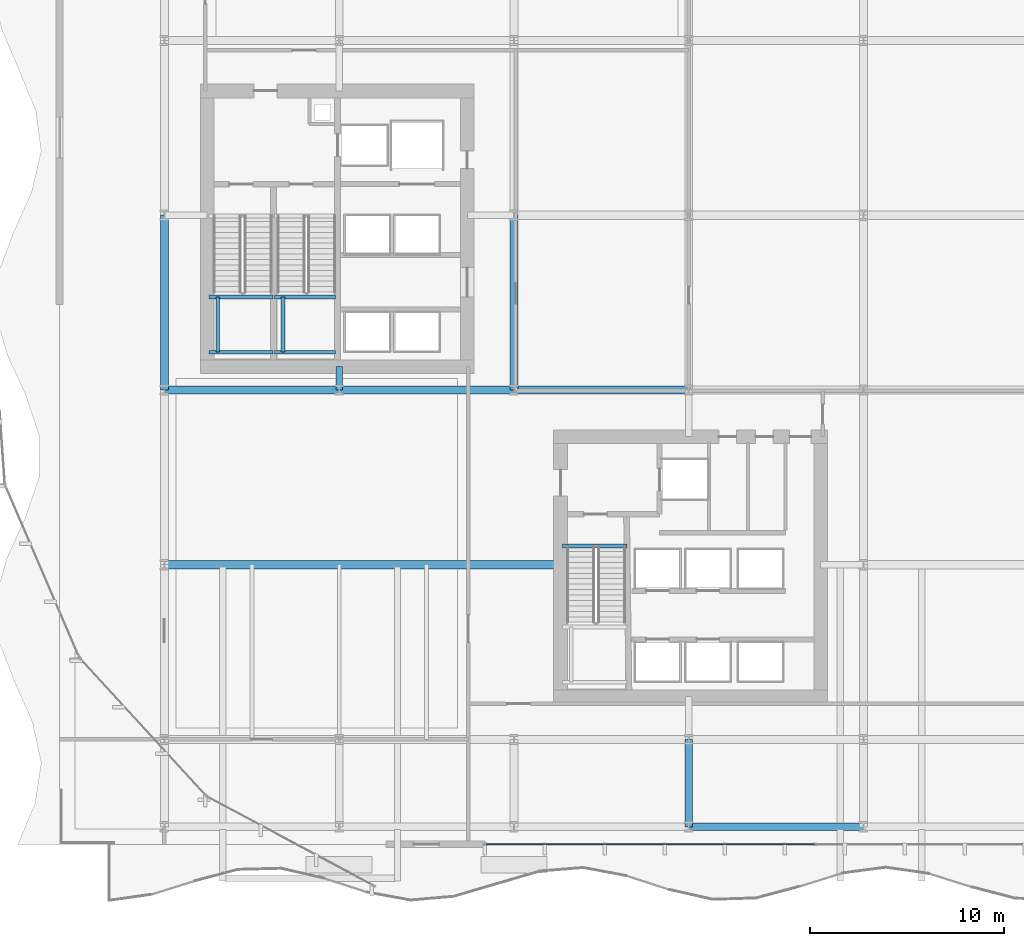
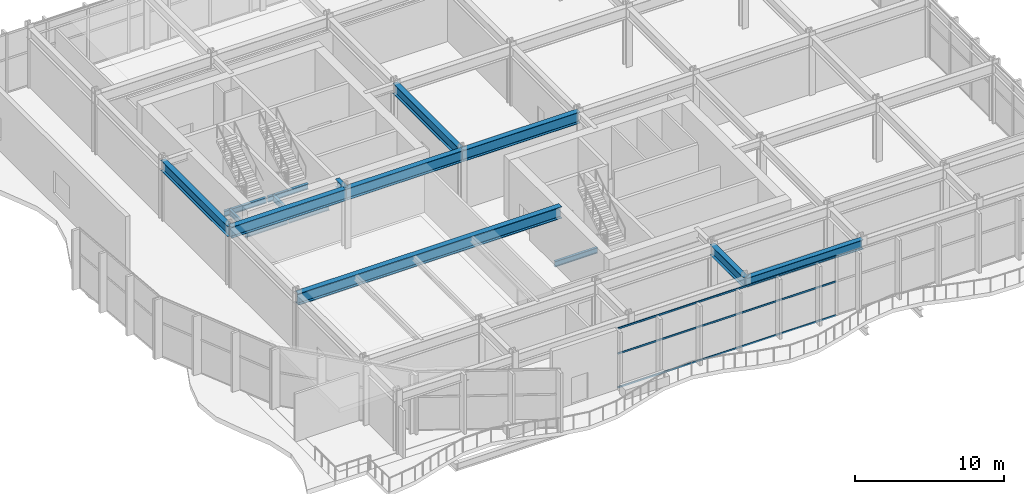
# One storey, part 6 of 31: 16 beams, 3 members, 1 element without a shape of its own.
"""IFC4 building model written with IfcOpenShell, lengths in metres."""

import ifcopenshell
import ifcopenshell.guid

model = None  # the IFC model being written
_history = None  # IfcOwnerHistory: only IFC2X3 demands one
_inside = {}  # id of a spatial element -> (the spatial element, [elements in it])
_under = {}  # id of a project, library or spatial element -> (it, [spatial elements below it])
_declared = {}  # id of a project -> (the project, [libraries it declares])
_typed = {}  # id of a type object -> (the type object, [elements of that type])
_made_of = {}  # id of a material, layer set ... -> (it, [elements and type objects made of it])


def new_model(schema):
    """Start an empty IFC model of exactly this schema.

    Asked for "IFC4X3", IfcOpenShell would pick the latest addendum, in which some entities
    have other attributes; the version numbers below select the first issue.
    IFC2X3 requires an IfcOwnerHistory on every rooted entity: one is made here for all.
    """
    global model, _history
    if schema == "IFC4X3":
        model = ifcopenshell.file(schema_version=(4, 3, 0, 0))
    else:
        model = ifcopenshell.file(schema=schema)
    _inside.clear()
    _under.clear()
    _declared.clear()
    _typed.clear()
    _made_of.clear()
    _history = None
    if model.schema == "IFC2X3":
        org = make("IfcOrganization", Name="unknown")
        user = make(
            "IfcPersonAndOrganization",
            ThePerson=make("IfcPerson", FamilyName="unknown"),
            TheOrganization=org,
        )
        app = make(
            "IfcApplication",
            ApplicationDeveloper=org,
            Version="unknown",
            ApplicationFullName="unknown",
            ApplicationIdentifier="unknown",
        )
        _history = make(
            "IfcOwnerHistory",
            OwningUser=user,
            OwningApplication=app,
            ChangeAction="ADDED",
            CreationDate=0,
        )
    return model


def make(cls, **values):
    """One entity of the class cls with the attributes given. An attribute that is None is left unset."""
    return model.create_entity(
        cls, **{name: value for name, value in values.items() if value is not None}
    )


def rooted(cls, **values):
    """An entity with a GlobalId (a new one), such as an element, a storey or a relation."""
    return make(cls, GlobalId=ifcopenshell.guid.new(), OwnerHistory=_history, **values)


def si_unit(unit_type, name, prefix=None):
    """IfcSIUnit, for example si_unit("LENGTHUNIT", "METRE", prefix="MILLI")."""
    return make("IfcSIUnit", UnitType=unit_type, Prefix=prefix, Name=name)


def assignment(units):
    """IfcUnitAssignment: the units of a project."""
    return None if units is None else make("IfcUnitAssignment", Units=units)


def point(xyz):
    """IfcCartesianPoint."""
    return None if xyz is None else make("IfcCartesianPoint", Coordinates=xyz)


def direction(xyz):
    """IfcDirection."""
    return None if xyz is None else make("IfcDirection", DirectionRatios=xyz)


def frame(location, z_axis=None, x_axis=None):
    """IfcAxis2Placement3D, a coordinate frame: its origin and axes. An axis left out is left unset."""
    return make(
        "IfcAxis2Placement3D",
        Location=point(location),
        Axis=direction(z_axis),
        RefDirection=direction(x_axis),
    )


def frame_2d(location, x_axis=None):
    """IfcAxis2Placement2D, a coordinate frame in the plane: its origin and x axis."""
    return make(
        "IfcAxis2Placement2D", Location=point(location), RefDirection=direction(x_axis)
    )


def origin():
    """The frame at (0, 0, 0) with its axes left unset."""
    return frame((0.0, 0.0, 0.0))


def origin_2d():
    """The frame at (0, 0) in the plane with its x axis left unset."""
    return frame_2d((0.0, 0.0))


def place(relative_to, where):
    """IfcLocalPlacement: puts the frame where relative to a parent placement (None: the world)."""
    return make(
        "IfcLocalPlacement", PlacementRelTo=relative_to, RelativePlacement=where
    )


def context(
    kind, dimensions, precision=None, world=None, true_north=None, identifier=None
):
    """IfcGeometricRepresentationContext, for example the 3D "Model" context."""
    return make(
        "IfcGeometricRepresentationContext",
        ContextIdentifier=identifier,
        ContextType=kind,
        CoordinateSpaceDimension=dimensions,
        Precision=precision,
        WorldCoordinateSystem=world,
        TrueNorth=true_north,
    )


def subcontext(parent, identifier, kind, view, scale=None):
    """IfcGeometricRepresentationSubContext, for example "Body" below "Model"."""
    return make(
        "IfcGeometricRepresentationSubContext",
        ContextIdentifier=identifier,
        ContextType=kind,
        ParentContext=parent,
        TargetScale=scale,
        TargetView=view,
    )


def project(units=None, contexts=None):
    """IfcProject with its units and contexts."""
    return rooted(
        "IfcProject",
        Name="project",
        RepresentationContexts=contexts,
        UnitsInContext=assignment(units),
    )


def spatial(cls, under=None, at=None, **own):
    """A site, building, storey or space (cls), placed at a placement, below another one or the project."""
    s = rooted(cls, ObjectPlacement=at, **own)
    if under is not None:
        _under.setdefault(under.id(), (under, []))[1].append(s)
    return s


def profile(cls, at=None, kind="AREA", **sizes):
    """A parametric profile (cls). Its sizes go by their IFC names, for example OverallWidth=200.0."""
    return make(cls, ProfileType=kind, Position=at, **sizes)


def hollow_rectangle(**sizes):
    """IfcRectangleHollowProfileDef."""
    return profile("IfcRectangleHollowProfileDef", **sizes)


def i_section(**sizes):
    """IfcIShapeProfileDef."""
    return profile("IfcIShapeProfileDef", **sizes)


def extrude(swept, where, along, depth):
    """IfcExtrudedAreaSolid: the profile swept, set in the frame where, extruded along a direction by depth."""
    return make(
        "IfcExtrudedAreaSolid",
        SweptArea=swept,
        Position=where,
        ExtrudedDirection=direction(along),
        Depth=depth,
    )


def shape(context_of_items, identifier, shape_type, items):
    """IfcShapeRepresentation: the items that make up one representation, for example the "Body"."""
    return make(
        "IfcShapeRepresentation",
        ContextOfItems=context_of_items,
        RepresentationIdentifier=identifier,
        RepresentationType=shape_type,
        Items=items,
    )


def material(Name=None, Category=None):
    """IfcMaterial."""
    return make("IfcMaterial", Name=Name, Category=Category)


def layer(
    of_material, thickness, ventilated=None, Name=None, Category=None, Priority=None
):
    """IfcMaterialLayer: one layer of a wall or slab, of a material (None: an air gap)."""
    return make(
        "IfcMaterialLayer",
        Material=of_material,
        LayerThickness=thickness,
        IsVentilated=ventilated,
        Name=Name,
        Category=Category,
        Priority=Priority,
    )


def layer_set(layers, Name=None):
    """IfcMaterialLayerSet."""
    return make("IfcMaterialLayerSet", MaterialLayers=layers, LayerSetName=Name)


def material_profile(
    of_material, cross_section, Name=None, Category=None, Priority=None
):
    """IfcMaterialProfile: a cross section and its material."""
    return make(
        "IfcMaterialProfile",
        Name=Name,
        Material=of_material,
        Profile=cross_section,
        Priority=Priority,
        Category=Category,
    )


def profile_set(profiles, Name=None, composite=None):
    """IfcMaterialProfileSet."""
    return make(
        "IfcMaterialProfileSet",
        Name=Name,
        MaterialProfiles=profiles,
        CompositeProfile=composite,
    )


def made_of(thing, what):
    """Note that an element or type object is made of a material, layer set ...; save() writes the relation."""
    if what is not None:
        _made_of.setdefault(what.id(), (what, []))[1].append(thing)
    return thing


def type_object(cls, material=None, **own):
    """A type object (cls), such as IfcWallType, which elements share."""
    return made_of(rooted(cls, **own), material)


def element(
    cls,
    number,
    at=None,
    inside=None,
    cuts=None,
    type_object=None,
    material=None,
    context=None,
    identifier="Body",
    shape_type=None,
    held_by="IfcProductDefinitionShape",
    body=None,
    shapes=None,
    **own,
):
    """One element of the class cls, such as IfcWall. Its Tag is "e" and its number.

    at: its placement. inside: the storey or other place that contains it. cuts: it is an
    opening in that element (IfcRelVoidsElement). A single representation is given by context,
    identifier, shape_type and body (its items); several are given by shapes. held_by: the class
    of the entity that holds the representations. save() writes the other relations.
    """
    e = rooted(cls, Tag="e%d" % number, ObjectPlacement=at, **own)
    if body is not None:
        shapes = [shape(context, identifier, shape_type, body)]
    if shapes is not None:
        e.Representation = make(held_by, Representations=shapes)
    if inside is not None:
        _inside.setdefault(inside.id(), (inside, []))[1].append(e)
    if cuts is not None:
        rooted(
            "IfcRelVoidsElement", RelatingBuildingElement=cuts, RelatedOpeningElement=e
        )
    if type_object is not None:
        _typed.setdefault(type_object.id(), (type_object, []))[1].append(e)
    return made_of(e, material)


def aggregate(whole, parts):
    """IfcRelAggregates: a whole, such as a stair, and the parts it consists of."""
    return rooted("IfcRelAggregates", RelatingObject=whole, RelatedObjects=parts)


def save(model, path):
    """Write the relations noted so far, then the file.

    IfcRelAggregates (storeys below a building ...), IfcRelContainedInSpatialStructure (elements
    in a storey), IfcRelDefinesByType, IfcRelAssociatesMaterial and IfcRelDeclares: one each for
    every whole, place, type object, material and project.
    """
    for whole, parts in _under.values():
        aggregate(whole, parts)
    for where, things in _inside.values():
        rooted(
            "IfcRelContainedInSpatialStructure",
            RelatedElements=things,
            RelatingStructure=where,
        )
    for kind, things in _typed.values():
        rooted("IfcRelDefinesByType", RelatedObjects=things, RelatingType=kind)
    for what, things in _made_of.values():
        rooted("IfcRelAssociatesMaterial", RelatedObjects=things, RelatingMaterial=what)
    for by, libraries in _declared.values():
        rooted("IfcRelDeclares", RelatingContext=by, RelatedDefinitions=libraries)
    model.write(path)


model = new_model("IFC4")

# Units and contexts
model_context = context("Model", 3, precision=1e-05, world=origin(), true_north=direction((0.0, 1.0)))
body_context = subcontext(model_context, "Body", "Model", "MODEL_VIEW")
ifc_project = project(units=[si_unit("LENGTHUNIT", "METRE"), si_unit("AREAUNIT", "SQUARE_METRE"), si_unit("VOLUMEUNIT", "CUBIC_METRE"), si_unit("PLANEANGLEUNIT", "RADIAN"), si_unit("MASSUNIT", "GRAM", prefix="KILO")], contexts=[model_context])

# Site, building, storey
site_placement = place(None, origin())
site = spatial("IfcSite", under=ifc_project, at=site_placement, CompositionType="ELEMENT")
building_placement = place(site_placement, origin())
building = spatial("IfcBuilding", under=site, at=building_placement, Name="Solvaryn Broadcast Tower", CompositionType="ELEMENT")
storey_placement = place(building_placement, frame((0.0, 0.0, 11.0)))
storey = spatial("IfcBuildingStorey", under=building, at=storey_placement, Name="L02", CompositionType="ELEMENT", Elevation=11.0)

# Beams
ifc_material_1 = material(Name="Steel ASTM A992 Grade 50", Category="steel")
ifc_material_profile_1 = material_profile(ifc_material_1, i_section(OverallWidth=0.323974609375, OverallDepth=0.611083984375, WebThickness=0.0126953125, FlangeThickness=0.01904296875, FilletRadius=0.014892578125, at=origin_2d()))
ifc_profile_set_1 = profile_set([ifc_material_profile_1], Name="Steel ASTM A992 Grade 50")
beam_type_1 = type_object("IfcBeamType", Name="BM-B1-W24X104", PredefinedType="BEAM", material=ifc_profile_set_1)
beam_1_placement = place(storey_placement, frame((18.0, 27.0, 4.574462890625), z_axis=(0.0, 1.0, 0.0), x_axis=(-1.0, 0.0, 0.0)))
element("IfcBeam", 1, at=beam_1_placement, inside=storey, type_object=beam_type_1, Name="L02 Core Tie Beam CTW4", PredefinedType="BEAM", context=body_context, shape_type="SweptSolid", body=[
    extrude(i_section(OverallWidth=0.323974609375, OverallDepth=0.611083984375, WebThickness=0.0126953125, FlangeThickness=0.01904296875, FilletRadius=0.014892578125, at=origin_2d()), origin(), (0.0, 0.0, 1.0), 1.199951171875),
])
ifc_material_2 = material(Name="Steel ASTM A992 Grade 50", Category="steel")
ifc_material_profile_2 = material_profile(ifc_material_2, i_section(OverallWidth=0.18994140625, OverallDepth=0.45703125, WebThickness=0.009033203125, FlangeThickness=0.014404296875, FilletRadius=0.011962890625, at=origin_2d()))
ifc_profile_set_2 = profile_set([ifc_material_profile_2], Name="Steel ASTM A992 Grade 50")
beam_type_2 = type_object("IfcBeamType", Name="BM-B4-W18X50", PredefinedType="BEAM", material=ifc_profile_set_2)
for number, where, z_axis, x_axis, name in (
    (2, (11.300048828125, 28.949951171875, 2.17138671875), (1.0, 0.0, 0.0), (0.0, 1.0, 0.0), "L02 ST1 Landing Support Beam 1A"),
    (3, (11.300048828125, 31.7900390625, 2.17138671875), (1.0, 0.0, 0.0), (0.0, 1.0, 0.0), "L02 ST1 Landing Support Beam 1B"),
):
    element("IfcBeam", number, at=place(storey_placement, frame(where, z_axis=z_axis, x_axis=x_axis)), inside=storey, type_object=beam_type_2, Name=name, PredefinedType="BEAM", context=body_context, shape_type="SweptSolid", body=[
        extrude(i_section(OverallWidth=0.18994140625, OverallDepth=0.45703125, WebThickness=0.009033203125, FlangeThickness=0.014404296875, FilletRadius=0.011962890625, at=origin_2d()), origin(), (0.0, 0.0, 1.0), 3.280029296875),
    ])
beam_2_placement = place(storey_placement, frame((11.75, 28.949951171875, 2.17138671875), z_axis=(0.0, 1.0, 0.0), x_axis=(-1.0, 0.0, 0.0)))
element("IfcBeam", 4, at=beam_2_placement, inside=storey, type_object=beam_type_2, Name="L02 ST1 Landing Cross Stringer 1C", PredefinedType="BEAM", context=body_context, shape_type="SweptSolid", body=[
    extrude(i_section(OverallWidth=0.18994140625, OverallDepth=0.45703125, WebThickness=0.009033203125, FlangeThickness=0.014404296875, FilletRadius=0.011962890625, at=origin_2d()), origin(), (0.0, 0.0, 1.0), 2.840087890625),
])
for number, where, z_axis, x_axis, name in (
    (5, (14.659912109375, 28.949951171875, 2.17138671875), (1.0, 0.0, 0.0), (0.0, 1.0, 0.0), "L02 ST2 Landing Support Beam 1A"),
    (6, (14.659912109375, 31.7900390625, 2.17138671875), (1.0, 0.0, 0.0), (0.0, 1.0, 0.0), "L02 ST2 Landing Support Beam 1B"),
):
    element("IfcBeam", number, at=place(storey_placement, frame(where, z_axis=z_axis, x_axis=x_axis)), inside=storey, type_object=beam_type_2, Name=name, PredefinedType="BEAM", context=body_context, shape_type="SweptSolid", body=[
        extrude(i_section(OverallWidth=0.18994140625, OverallDepth=0.45703125, WebThickness=0.009033203125, FlangeThickness=0.014404296875, FilletRadius=0.011962890625, at=origin_2d()), origin(), (0.0, 0.0, 1.0), 3.14013671875),
    ])
beam_3_placement = place(storey_placement, frame((15.110107421875, 28.949951171875, 2.17138671875), z_axis=(0.0, 1.0, 0.0), x_axis=(-1.0, 0.0, 0.0)))
element("IfcBeam", 7, at=beam_3_placement, inside=storey, type_object=beam_type_2, Name="L02 ST2 Landing Cross Stringer 1C", PredefinedType="BEAM", context=body_context, shape_type="SweptSolid", body=[
    extrude(i_section(OverallWidth=0.18994140625, OverallDepth=0.45703125, WebThickness=0.009033203125, FlangeThickness=0.014404296875, FilletRadius=0.011962890625, at=origin_2d()), origin(), (0.0, 0.0, 1.0), 2.840087890625),
])
beam_4_placement = place(storey_placement, frame((29.5, 18.9599609375, -0.548583984375), z_axis=(1.0, 0.0, 0.0), x_axis=(0.0, 1.0, 0.0)))
element("IfcBeam", 8, at=beam_4_placement, inside=storey, type_object=beam_type_2, Name="L02 ST3 Stair Well Trimmer Beam", PredefinedType="BEAM", context=body_context, shape_type="SweptSolid", body=[
    extrude(i_section(OverallWidth=0.18994140625, OverallDepth=0.45703125, WebThickness=0.009033203125, FlangeThickness=0.014404296875, FilletRadius=0.011962890625, at=origin_2d()), origin(), (0.0, 0.0, 1.0), 3.320068359375),
])
ifc_material_3 = material(Name="Steel ASTM A992 Grade 50", Category="steel")
ifc_material_profile_3 = material_profile(ifc_material_3, i_section(OverallWidth=0.423095703125, OverallDepth=0.947998046875, WebThickness=0.02392578125, FlangeThickness=0.042724609375, FilletRadius=0.02392578125, at=origin_2d()))
ifc_profile_set_3 = profile_set([ifc_material_profile_3], Name="Steel ASTM A992 Grade 50")
beam_type_3 = type_object("IfcBeamType", Name="BM-G1-W36X302", PredefinedType="BEAM", material=ifc_profile_set_3)
beam_5_placement = place(storey_placement, frame((9.0, 18.0, 4.406005859375), z_axis=(1.0, 0.0, 0.0), x_axis=(0.0, 1.0, 0.0)))
element("IfcBeam", 9, at=beam_5_placement, inside=storey, type_object=beam_type_3, Name="L02 Broadcast Studio Clear-Span Girder", PredefinedType="BEAM", context=body_context, shape_type="SweptSolid", body=[
    extrude(i_section(OverallWidth=0.423095703125, OverallDepth=0.947998046875, WebThickness=0.02392578125, FlangeThickness=0.042724609375, FilletRadius=0.02392578125, at=origin_2d()), origin(), (0.0, 0.0, 1.0), 20.39990234375),
])
ifc_material_4 = material(Name="Steel ASTM A992 Grade 50", Category="steel")
ifc_material_profile_4 = material_profile(ifc_material_4, i_section(OverallWidth=0.41796875, OverallDepth=0.927001953125, WebThickness=0.019287109375, FlangeThickness=0.031982421875, FilletRadius=0.02392578125, at=origin_2d()))
ifc_profile_set_4 = profile_set([ifc_material_profile_4], Name="Steel ASTM A992 Grade 50")
beam_type_4 = type_object("IfcBeamType", Name="BM-G2-W36X231", PredefinedType="BEAM", material=ifc_profile_set_4)
for number, where, z_axis, x_axis, name in (
    (10, (9.0, 27.0, 4.41650390625), (1.0, 0.0, 0.0), (0.0, 1.0, 0.0), "L02 Primary Beam X (9-18 @ Y=27)"),
    (11, (18.0, 27.0, 4.41650390625), (1.0, 0.0, 0.0), (0.0, 1.0, 0.0), "L02 Primary Beam X (18-27 @ Y=27)"),
    (12, (27.0, 27.0, 4.41650390625), (1.0, 0.0, 0.0), (0.0, 1.0, 0.0), "L02 Primary Beam X (27-36 @ Y=27)"),
):
    element("IfcBeam", number, at=place(storey_placement, frame(where, z_axis=z_axis, x_axis=x_axis)), inside=storey, type_object=beam_type_4, Name=name, PredefinedType="BEAM", context=body_context, shape_type="SweptSolid", body=[
        extrude(i_section(OverallWidth=0.41796875, OverallDepth=0.927001953125, WebThickness=0.019287109375, FlangeThickness=0.031982421875, FilletRadius=0.02392578125, at=origin_2d()), origin(), (0.0, 0.0, 1.0), 9.0),
    ])
ifc_material_5 = material(Name="Steel ASTM A992 Grade 50", Category="steel")
ifc_material_profile_5 = material_profile(ifc_material_5, i_section(OverallWidth=0.39990234375, OverallDepth=0.85498046875, WebThickness=0.018310546875, FlangeThickness=0.029296875, FilletRadius=0.02001953125, at=origin_2d()))
ifc_profile_set_5 = profile_set([ifc_material_profile_5], Name="Steel ASTM A992 Grade 50")
beam_type_5 = type_object("IfcBeamType", Name="BM-G3-W33X201", PredefinedType="BEAM", material=ifc_profile_set_5)
for number, where, z_axis, x_axis, name in (
    (13, (9.0, 27.0, 4.452392578125), (0.0, 1.0, 0.0), (-1.0, 0.0, 0.0), "L02 Primary Beam Y (27-36 @ X=9)"),
    (14, (27.0, 27.0, 4.452392578125), (0.0, 1.0, 0.0), (-1.0, 0.0, 0.0), "L02 Primary Beam Y (27-36 @ X=27)"),
):
    element("IfcBeam", number, at=place(storey_placement, frame(where, z_axis=z_axis, x_axis=x_axis)), inside=storey, type_object=beam_type_5, Name=name, PredefinedType="BEAM", context=body_context, shape_type="SweptSolid", body=[
        extrude(i_section(OverallWidth=0.39990234375, OverallDepth=0.85498046875, WebThickness=0.018310546875, FlangeThickness=0.029296875, FilletRadius=0.02001953125, at=origin_2d()), origin(), (0.0, 0.0, 1.0), 9.0),
    ])
beam_6_placement = place(storey_placement, frame((36.0, 4.5, 4.452392578125), z_axis=(0.0, 1.0, 0.0), x_axis=(-1.0, 0.0, 0.0)))
element("IfcBeam", 15, at=beam_6_placement, inside=storey, type_object=beam_type_5, Name="L02 Primary Beam Y (4-9 @ X=36)", PredefinedType="BEAM", context=body_context, shape_type="SweptSolid", body=[
    extrude(i_section(OverallWidth=0.39990234375, OverallDepth=0.85498046875, WebThickness=0.018310546875, FlangeThickness=0.029296875, FilletRadius=0.02001953125, at=origin_2d()), origin(), (0.0, 0.0, 1.0), 4.5),
])
ifc_material_6 = material(Name="Steel ASTM A992 Grade 50", Category="steel")
ifc_material_profile_6 = material_profile(ifc_material_6, i_section(OverallWidth=0.381103515625, OverallDepth=0.77294921875, WebThickness=0.0166015625, FlangeThickness=0.027099609375, FilletRadius=0.01806640625, at=origin_2d()))
ifc_profile_set_6 = profile_set([ifc_material_profile_6], Name="Steel ASTM A992 Grade 50")
beam_type_6 = type_object("IfcBeamType", Name="BM-SP1-W30X173", PredefinedType="USERDEFINED", material=ifc_profile_set_6)
beam_7_placement = place(storey_placement, frame((36.0, 4.5, 4.493408203125), z_axis=(1.0, 0.0, 0.0), x_axis=(0.0, 1.0, 0.0)))
element("IfcBeam", 16, at=beam_7_placement, inside=storey, type_object=beam_type_6, Name="L02 Spandrel Beam X (36-45 @ Y=4)", ObjectType="SPANDREL", PredefinedType="USERDEFINED", context=body_context, shape_type="SweptSolid", body=[
    extrude(i_section(OverallWidth=0.381103515625, OverallDepth=0.77294921875, WebThickness=0.0166015625, FlangeThickness=0.027099609375, FilletRadius=0.01806640625, at=origin_2d()), origin(), (0.0, 0.0, 1.0), 9.0),
])

# Curtain wall, members
ifc_material_7 = material(Name="Aluminium and Terracotta Unitised Curtain Wall", Category="masonry")
ifc_layer = layer(ifc_material_7, 0.219970703125)
ifc_layer_set = layer_set([ifc_layer], Name="CW-SYS1-PODIUM")
curtain_wall_type = type_object("IfcCurtainWallType", Name="CW-SYS1-PODIUM", PredefinedType="NOTDEFINED", material=ifc_layer_set)
curtain_wall_placement = place(storey_placement, origin())
curtain_wall = element("IfcCurtainWall", 17, at=curtain_wall_placement, inside=storey, type_object=curtain_wall_type, Name="L02 Podium Curtain Wall S1", PredefinedType="NOTDEFINED")
ifc_material_8 = material(Name="Anodised Aluminium 6063-T6", Category="aluminium")
ifc_material_profile_7 = material_profile(ifc_material_8, hollow_rectangle(XDim=0.06494140625, YDim=0.14990234375, WallThickness=0.00390625, InnerFilletRadius=0.00390625, OuterFilletRadius=0.008056640625, at=origin_2d()))
ifc_profile_set_7 = profile_set([ifc_material_profile_7], Name="Anodised Aluminium 6063-T6")
member_type = type_object("IfcMemberType", Name="CW-TRN-150", PredefinedType="USERDEFINED", material=ifc_profile_set_7)
member_1_placement = place(storey_placement, frame((42.469970703125, 3.60009765625, 0.030029296875), z_axis=(-1.0, 0.0, 0.0), x_axis=(0.0, -1.0, 0.0)))
member_1 = element("IfcMember", 18, at=member_1_placement, type_object=member_type, Name="CWS1 transom 2.1", ObjectType="TRANSOM", PredefinedType="USERDEFINED", context=body_context, shape_type="SweptSolid", body=[
    extrude(hollow_rectangle(XDim=0.06494140625, YDim=0.14990234375, WallThickness=0.00390625, InnerFilletRadius=0.00390625, OuterFilletRadius=0.008056640625, at=origin_2d()), origin(), (0.0, 0.0, 1.0), 16.909912109375),
])
member_2_placement = place(storey_placement, frame((42.469970703125, 3.60009765625, 2.800048828125), z_axis=(-1.0, 0.0, 0.0), x_axis=(0.0, -1.0, 0.0)))
member_2 = element("IfcMember", 19, at=member_2_placement, type_object=member_type, Name="CWS1 transom 2.2", ObjectType="TRANSOM", PredefinedType="USERDEFINED", context=body_context, shape_type="SweptSolid", body=[
    extrude(hollow_rectangle(XDim=0.06494140625, YDim=0.14990234375, WallThickness=0.00390625, InnerFilletRadius=0.00390625, OuterFilletRadius=0.008056640625, at=origin_2d()), origin(), (0.0, 0.0, 1.0), 16.909912109375),
])
member_3_placement = place(storey_placement, frame((42.469970703125, 3.60009765625, 4.85009765625), z_axis=(-1.0, 0.0, 0.0), x_axis=(0.0, -1.0, 0.0)))
member_3 = element("IfcMember", 20, at=member_3_placement, type_object=member_type, Name="CWS1 transom 2.3", ObjectType="TRANSOM", PredefinedType="USERDEFINED", context=body_context, shape_type="SweptSolid", body=[
    extrude(hollow_rectangle(XDim=0.06494140625, YDim=0.14990234375, WallThickness=0.00390625, InnerFilletRadius=0.00390625, OuterFilletRadius=0.008056640625, at=origin_2d()), origin(), (0.0, 0.0, 1.0), 16.909912109375),
])
aggregate(curtain_wall, [member_1, member_2, member_3])

save(model, "model.ifc")
